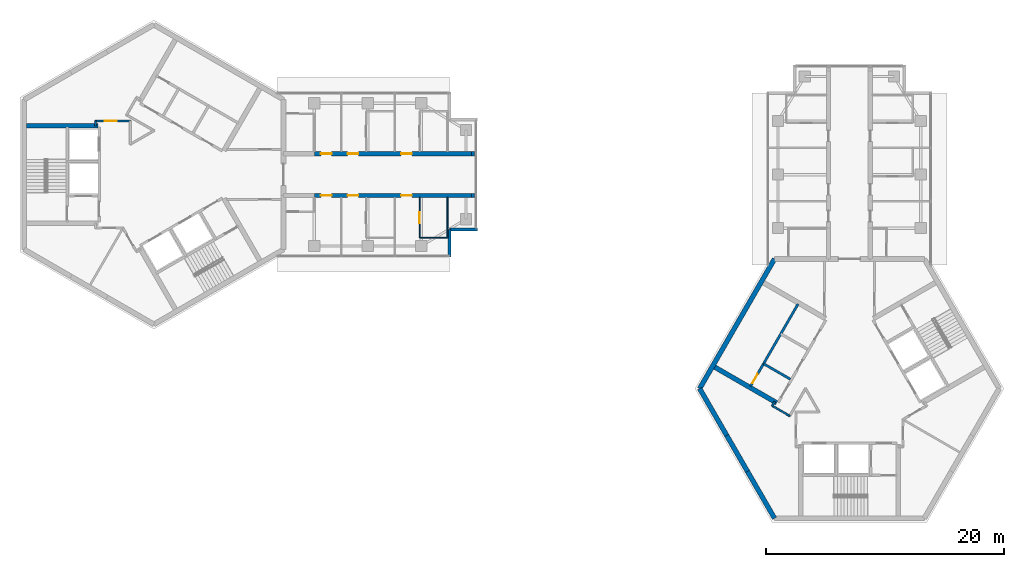
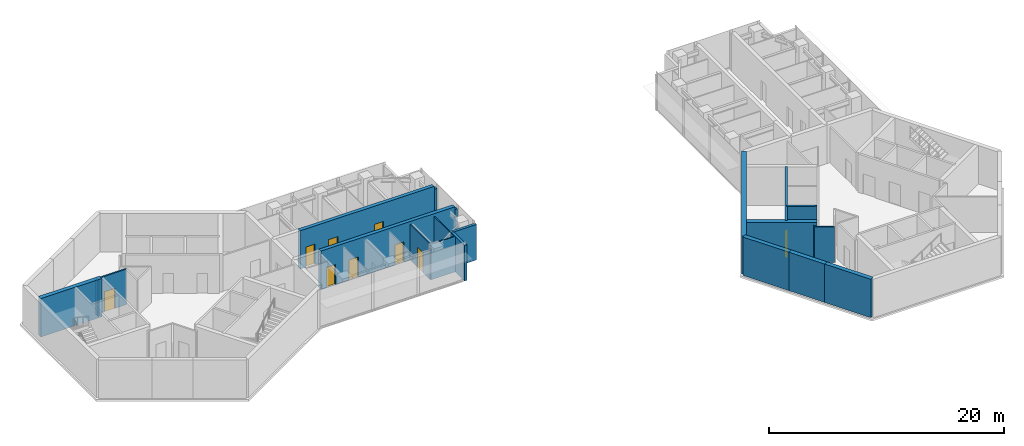
# One storey, part 6 of 11: 21 walls, 9 doors, 9 openings.
"""IFC4 building model written with IfcOpenShell, lengths in metres."""

import ifcopenshell
import ifcopenshell.guid

model = None  # the IFC model being written
_history = None  # IfcOwnerHistory: only IFC2X3 demands one
_inside = {}  # id of a spatial element -> (the spatial element, [elements in it])
_under = {}  # id of a project, library or spatial element -> (it, [spatial elements below it])
_declared = {}  # id of a project -> (the project, [libraries it declares])
_typed = {}  # id of a type object -> (the type object, [elements of that type])
_made_of = {}  # id of a material, layer set ... -> (it, [elements and type objects made of it])


def new_model(schema):
    """Start an empty IFC model of exactly this schema.

    Asked for "IFC4X3", IfcOpenShell would pick the latest addendum, in which some entities
    have other attributes; the version numbers below select the first issue.
    IFC2X3 requires an IfcOwnerHistory on every rooted entity: one is made here for all.
    """
    global model, _history
    if schema == "IFC4X3":
        model = ifcopenshell.file(schema_version=(4, 3, 0, 0))
    else:
        model = ifcopenshell.file(schema=schema)
    _inside.clear()
    _under.clear()
    _declared.clear()
    _typed.clear()
    _made_of.clear()
    _history = None
    if model.schema == "IFC2X3":
        org = make("IfcOrganization", Name="unknown")
        user = make(
            "IfcPersonAndOrganization",
            ThePerson=make("IfcPerson", FamilyName="unknown"),
            TheOrganization=org,
        )
        app = make(
            "IfcApplication",
            ApplicationDeveloper=org,
            Version="unknown",
            ApplicationFullName="unknown",
            ApplicationIdentifier="unknown",
        )
        _history = make(
            "IfcOwnerHistory",
            OwningUser=user,
            OwningApplication=app,
            ChangeAction="ADDED",
            CreationDate=0,
        )
    return model


def make(cls, **values):
    """One entity of the class cls with the attributes given. An attribute that is None is left unset."""
    return model.create_entity(
        cls, **{name: value for name, value in values.items() if value is not None}
    )


def rooted(cls, **values):
    """An entity with a GlobalId (a new one), such as an element, a storey or a relation."""
    return make(cls, GlobalId=ifcopenshell.guid.new(), OwnerHistory=_history, **values)


def si_unit(unit_type, name, prefix=None):
    """IfcSIUnit, for example si_unit("LENGTHUNIT", "METRE", prefix="MILLI")."""
    return make("IfcSIUnit", UnitType=unit_type, Prefix=prefix, Name=name)


def assignment(units):
    """IfcUnitAssignment: the units of a project."""
    return None if units is None else make("IfcUnitAssignment", Units=units)


def point(xyz):
    """IfcCartesianPoint."""
    return None if xyz is None else make("IfcCartesianPoint", Coordinates=xyz)


def direction(xyz):
    """IfcDirection."""
    return None if xyz is None else make("IfcDirection", DirectionRatios=xyz)


def frame(location, z_axis=None, x_axis=None):
    """IfcAxis2Placement3D, a coordinate frame: its origin and axes. An axis left out is left unset."""
    return make(
        "IfcAxis2Placement3D",
        Location=point(location),
        Axis=direction(z_axis),
        RefDirection=direction(x_axis),
    )


def frame_2d(location, x_axis=None):
    """IfcAxis2Placement2D, a coordinate frame in the plane: its origin and x axis."""
    return make(
        "IfcAxis2Placement2D", Location=point(location), RefDirection=direction(x_axis)
    )


def origin():
    """The frame at (0, 0, 0) with its axes left unset."""
    return frame((0.0, 0.0, 0.0))


def place(relative_to, where):
    """IfcLocalPlacement: puts the frame where relative to a parent placement (None: the world)."""
    return make(
        "IfcLocalPlacement", PlacementRelTo=relative_to, RelativePlacement=where
    )


def context(
    kind, dimensions, precision=None, world=None, true_north=None, identifier=None
):
    """IfcGeometricRepresentationContext, for example the 3D "Model" context."""
    return make(
        "IfcGeometricRepresentationContext",
        ContextIdentifier=identifier,
        ContextType=kind,
        CoordinateSpaceDimension=dimensions,
        Precision=precision,
        WorldCoordinateSystem=world,
        TrueNorth=true_north,
    )


def subcontext(parent, identifier, kind, view, scale=None):
    """IfcGeometricRepresentationSubContext, for example "Body" below "Model"."""
    return make(
        "IfcGeometricRepresentationSubContext",
        ContextIdentifier=identifier,
        ContextType=kind,
        ParentContext=parent,
        TargetScale=scale,
        TargetView=view,
    )


def project(units=None, contexts=None):
    """IfcProject with its units and contexts."""
    return rooted(
        "IfcProject",
        Name="project",
        RepresentationContexts=contexts,
        UnitsInContext=assignment(units),
    )


def spatial(cls, under=None, at=None, **own):
    """A site, building, storey or space (cls), placed at a placement, below another one or the project."""
    s = rooted(cls, ObjectPlacement=at, **own)
    if under is not None:
        _under.setdefault(under.id(), (under, []))[1].append(s)
    return s


def profile(cls, at=None, kind="AREA", **sizes):
    """A parametric profile (cls). Its sizes go by their IFC names, for example OverallWidth=200.0."""
    return make(cls, ProfileType=kind, Position=at, **sizes)


def rectangle(**sizes):
    """IfcRectangleProfileDef."""
    return profile("IfcRectangleProfileDef", **sizes)


def extrude(swept, where, along, depth):
    """IfcExtrudedAreaSolid: the profile swept, set in the frame where, extruded along a direction by depth."""
    return make(
        "IfcExtrudedAreaSolid",
        SweptArea=swept,
        Position=where,
        ExtrudedDirection=direction(along),
        Depth=depth,
    )


def shape(context_of_items, identifier, shape_type, items):
    """IfcShapeRepresentation: the items that make up one representation, for example the "Body"."""
    return make(
        "IfcShapeRepresentation",
        ContextOfItems=context_of_items,
        RepresentationIdentifier=identifier,
        RepresentationType=shape_type,
        Items=items,
    )


def material(Name=None, Category=None):
    """IfcMaterial."""
    return make("IfcMaterial", Name=Name, Category=Category)


def layer(
    of_material, thickness, ventilated=None, Name=None, Category=None, Priority=None
):
    """IfcMaterialLayer: one layer of a wall or slab, of a material (None: an air gap)."""
    return make(
        "IfcMaterialLayer",
        Material=of_material,
        LayerThickness=thickness,
        IsVentilated=ventilated,
        Name=Name,
        Category=Category,
        Priority=Priority,
    )


def layer_set(layers, Name=None):
    """IfcMaterialLayerSet."""
    return make("IfcMaterialLayerSet", MaterialLayers=layers, LayerSetName=Name)


def made_of(thing, what):
    """Note that an element or type object is made of a material, layer set ...; save() writes the relation."""
    if what is not None:
        _made_of.setdefault(what.id(), (what, []))[1].append(thing)
    return thing


def type_object(cls, material=None, **own):
    """A type object (cls), such as IfcWallType, which elements share."""
    return made_of(rooted(cls, **own), material)


def element(
    cls,
    number,
    at=None,
    inside=None,
    cuts=None,
    type_object=None,
    material=None,
    context=None,
    identifier="Body",
    shape_type=None,
    held_by="IfcProductDefinitionShape",
    body=None,
    shapes=None,
    **own,
):
    """One element of the class cls, such as IfcWall. Its Tag is "e" and its number.

    at: its placement. inside: the storey or other place that contains it. cuts: it is an
    opening in that element (IfcRelVoidsElement). A single representation is given by context,
    identifier, shape_type and body (its items); several are given by shapes. held_by: the class
    of the entity that holds the representations. save() writes the other relations.
    """
    e = rooted(cls, Tag="e%d" % number, ObjectPlacement=at, **own)
    if body is not None:
        shapes = [shape(context, identifier, shape_type, body)]
    if shapes is not None:
        e.Representation = make(held_by, Representations=shapes)
    if inside is not None:
        _inside.setdefault(inside.id(), (inside, []))[1].append(e)
    if cuts is not None:
        rooted(
            "IfcRelVoidsElement", RelatingBuildingElement=cuts, RelatedOpeningElement=e
        )
    if type_object is not None:
        _typed.setdefault(type_object.id(), (type_object, []))[1].append(e)
    return made_of(e, material)


def fill(opening, filler):
    """IfcRelFillsElement: the door or window that sits in an opening."""
    return rooted(
        "IfcRelFillsElement",
        RelatingOpeningElement=opening,
        RelatedBuildingElement=filler,
    )


def aggregate(whole, parts):
    """IfcRelAggregates: a whole, such as a stair, and the parts it consists of."""
    return rooted("IfcRelAggregates", RelatingObject=whole, RelatedObjects=parts)


def save(model, path):
    """Write the relations noted so far, then the file.

    IfcRelAggregates (storeys below a building ...), IfcRelContainedInSpatialStructure (elements
    in a storey), IfcRelDefinesByType, IfcRelAssociatesMaterial and IfcRelDeclares: one each for
    every whole, place, type object, material and project.
    """
    for whole, parts in _under.values():
        aggregate(whole, parts)
    for where, things in _inside.values():
        rooted(
            "IfcRelContainedInSpatialStructure",
            RelatedElements=things,
            RelatingStructure=where,
        )
    for kind, things in _typed.values():
        rooted("IfcRelDefinesByType", RelatedObjects=things, RelatingType=kind)
    for what, things in _made_of.values():
        rooted("IfcRelAssociatesMaterial", RelatedObjects=things, RelatingMaterial=what)
    for by, libraries in _declared.values():
        rooted("IfcRelDeclares", RelatingContext=by, RelatedDefinitions=libraries)
    model.write(path)


model = new_model("IFC4")

# Units and contexts
model_context = context("Model", 3, precision=1e-05, world=origin(), true_north=direction((0.0, 1.0)))
body_context = subcontext(model_context, "Body", "Model", "MODEL_VIEW")
ifc_project = project(units=[si_unit("LENGTHUNIT", "METRE"), si_unit("AREAUNIT", "SQUARE_METRE"), si_unit("VOLUMEUNIT", "CUBIC_METRE"), si_unit("PLANEANGLEUNIT", "RADIAN"), si_unit("MASSUNIT", "GRAM", prefix="KILO")], contexts=[model_context])

# Site, building, storey
site_placement = place(None, origin())
site = spatial("IfcSite", under=ifc_project, at=site_placement, CompositionType="ELEMENT")
building_placement = place(site_placement, origin())
building = spatial("IfcBuilding", under=site, at=building_placement, Name="Upepo Twin Towers", CompositionType="ELEMENT")
storey_placement = place(building_placement, frame((0.0, 0.0, 287.5)))
storey = spatial("IfcBuildingStorey", under=building, at=storey_placement, Name="L70", CompositionType="ELEMENT", Elevation=287.5)

# Walls
ifc_material_1 = material(Name="Dense concrete blockwork", Category="masonry")
ifc_layer_1 = layer(ifc_material_1, 0.35009765625)
ifc_layer_set_1 = layer_set([ifc_layer_1], Name="Buttress closer 350, blockwork with fire-stopping to the curtain wall")
wall_type_1 = type_object("IfcWallType", Name="Buttress closer 350, blockwork with fire-stopping to the curtain wall", PredefinedType="PARTITIONING", material=ifc_layer_set_1)
for number, where, z_axis, x_axis, name in (
    (1, (26.699951171875, 1.75, 0.0), (0.0, 0.0, 1.0), (1.0, 0.0, 0.0), "T1 L70 wing A buttress closer L"),
    (2, (26.699951171875, -1.75, 0.0), (0.0, 0.0, 1.0), (1.0, 0.0, 0.0), "T1 L70 wing A buttress closer R"),
):
    element("IfcWall", number, at=place(storey_placement, frame(where, z_axis=z_axis, x_axis=x_axis)), inside=storey, type_object=wall_type_1, Name=name, PredefinedType="PARTITIONING", context=body_context, shape_type="SweptSolid", body=[
        extrude(rectangle(XDim=0.275146484375, YDim=0.35009765625, at=frame_2d((0.1376953125, 0.0))), origin(), (0.0, 0.0, 1.0), 3.699951171875),
    ])

# Wall, openings, doors
ifc_material_2 = material(Name="Concrete C60/75", Category="concrete")
ifc_layer_2 = layer(ifc_material_2, 0.35009765625)
ifc_layer_set_2 = layer_set([ifc_layer_2], Name="Concrete C60/75")
wall_type_2 = type_object("IfcWallType", Name="Buttress wall 350 RC", PredefinedType="SHEAR", material=ifc_layer_set_2)
wall_1_placement = place(storey_placement, frame((13.5, 1.75, 0.0), z_axis=(0.0, 0.0, 1.0), x_axis=(1.0, 0.0, 0.0)))
wall_1 = element("IfcWall", 3, at=wall_1_placement, inside=storey, type_object=wall_type_2, Name="T1 wing A buttress wall L part 2", PredefinedType="SHEAR", context=body_context, shape_type="SweptSolid", body=[
    extrude(rectangle(XDim=13.199951171875, YDim=0.35009765625, at=frame_2d((6.60009765625, 0.0))), origin(), (0.0, 0.0, 1.0), 4.0),
])
opening_1_placement = place(wall_1_placement, frame((0.550048828125, 0.0, 0.0)))
opening_1 = element("IfcOpeningElement", 4, at=opening_1_placement, cuts=wall_1, Name="Opening D11", PredefinedType="OPENING", context=body_context, shape_type="SweptSolid", body=[
    extrude(rectangle(XDim=0.89990234375, YDim=2.10009765625, at=frame_2d((0.449951171875, 1.050048828125))), frame((0.0, 0.18505859375, 0.0), z_axis=(0.0, -1.0, 0.0), x_axis=(1.0, 0.0, 0.0)), (0.0, 0.0, 1.0), 0.3701171875),
])
opening_2_placement = place(wall_1_placement, frame((2.800048828125, 0.0, 0.0)))
opening_2 = element("IfcOpeningElement", 5, at=opening_2_placement, cuts=wall_1, Name="Opening D14", PredefinedType="OPENING", context=body_context, shape_type="SweptSolid", body=[
    extrude(rectangle(XDim=0.89990234375, YDim=2.10009765625, at=frame_2d((0.449951171875, 1.050048828125))), frame((0.0, 0.18505859375, 0.0), z_axis=(0.0, -1.0, 0.0), x_axis=(1.0, 0.0, 0.0)), (0.0, 0.0, 1.0), 0.3701171875),
])
opening_3_placement = place(wall_1_placement, frame((7.300048828125, 0.0, 0.0)))
opening_3 = element("IfcOpeningElement", 6, at=opening_3_placement, cuts=wall_1, Name="Opening D14", PredefinedType="OPENING", context=body_context, shape_type="SweptSolid", body=[
    extrude(rectangle(XDim=0.89990234375, YDim=2.10009765625, at=frame_2d((0.449951171875, 1.050048828125))), frame((0.0, 0.18505859375, 0.0), z_axis=(0.0, -1.0, 0.0), x_axis=(1.0, 0.0, 0.0)), (0.0, 0.0, 1.0), 0.3701171875),
])
ifc_material_3 = material(Name="Timber doorset", Category="wood")
door_type_1 = type_object("IfcDoorType", Name="Office door 900 FD30", OperationType="SINGLE_SWING_LEFT", PredefinedType="DOOR", material=ifc_material_3)
door_1_placement = place(opening_2_placement, origin())
door_1 = element("IfcDoor", 7, at=door_1_placement, inside=storey, type_object=door_type_1, Name="T1 L70 staff office door", OperationType="SINGLE_SWING_LEFT", OverallHeight=2.10009765625, OverallWidth=0.89990234375, PredefinedType="DOOR", context=body_context, shape_type="SweptSolid", body=[
    extrude(rectangle(XDim=0.89990234375, YDim=2.10009765625, at=frame_2d((0.449951171875, 1.050048828125))), frame((0.0, 0.02490234375, 0.0), z_axis=(0.0, -1.0, 0.0), x_axis=(1.0, 0.0, 0.0)), (0.0, 0.0, 1.0), 0.050048828125),
])
fill(opening_2, door_1)
door_2_placement = place(opening_3_placement, origin())
door_2 = element("IfcDoor", 8, at=door_2_placement, inside=storey, type_object=door_type_1, Name="T1 L70 postgraduate office door", OperationType="SINGLE_SWING_RIGHT", OverallHeight=2.10009765625, OverallWidth=0.89990234375, PredefinedType="DOOR", context=body_context, shape_type="SweptSolid", body=[
    extrude(rectangle(XDim=0.89990234375, YDim=2.10009765625, at=frame_2d((0.449951171875, 1.050048828125))), frame((0.0, 0.02490234375, 0.0), z_axis=(0.0, -1.0, 0.0), x_axis=(1.0, 0.0, 0.0)), (0.0, 0.0, 1.0), 0.050048828125),
])
fill(opening_3, door_2)
ifc_material_4 = material(Name="Timber doorset", Category="wood")
door_type_2 = type_object("IfcDoorType", Name="Toilet door 900", OperationType="SINGLE_SWING_LEFT", PredefinedType="DOOR", material=ifc_material_4)
door_3_placement = place(opening_1_placement, origin())
door_3 = element("IfcDoor", 9, at=door_3_placement, inside=storey, type_object=door_type_2, Name="T1 L70 accessible wc door", OperationType="SINGLE_SWING_LEFT", OverallHeight=2.10009765625, OverallWidth=0.89990234375, PredefinedType="DOOR", context=body_context, shape_type="SweptSolid", body=[
    extrude(rectangle(XDim=0.89990234375, YDim=2.10009765625, at=frame_2d((0.449951171875, 1.050048828125))), frame((0.0, 0.02490234375, 0.0), z_axis=(0.0, -1.0, 0.0), x_axis=(1.0, 0.0, 0.0)), (0.0, 0.0, 1.0), 0.050048828125),
])
fill(opening_1, door_3)

wall_2_placement = place(storey_placement, frame((13.5, -1.75, 0.0), z_axis=(0.0, 0.0, 1.0), x_axis=(1.0, 0.0, 0.0)))
wall_2 = element("IfcWall", 10, at=wall_2_placement, inside=storey, type_object=wall_type_2, Name="T1 wing A buttress wall R part 2", PredefinedType="SHEAR", context=body_context, shape_type="SweptSolid", body=[
    extrude(rectangle(XDim=13.199951171875, YDim=0.35009765625, at=frame_2d((6.60009765625, 0.0))), origin(), (0.0, 0.0, 1.0), 4.0),
])
opening_4_placement = place(wall_2_placement, frame((0.550048828125, 0.0, 0.0)))
opening_4 = element("IfcOpeningElement", 11, at=opening_4_placement, cuts=wall_2, Name="Opening D11", PredefinedType="OPENING", context=body_context, shape_type="SweptSolid", body=[
    extrude(rectangle(XDim=0.89990234375, YDim=2.10009765625, at=frame_2d((0.449951171875, 1.050048828125))), frame((0.0, 0.18505859375, 0.0), z_axis=(0.0, -1.0, 0.0), x_axis=(1.0, 0.0, 0.0)), (0.0, 0.0, 1.0), 0.3701171875),
])
opening_5_placement = place(wall_2_placement, frame((2.800048828125, 0.0, 0.0)))
opening_5 = element("IfcOpeningElement", 12, at=opening_5_placement, cuts=wall_2, Name="Opening D14", PredefinedType="OPENING", context=body_context, shape_type="SweptSolid", body=[
    extrude(rectangle(XDim=0.89990234375, YDim=2.10009765625, at=frame_2d((0.449951171875, 1.050048828125))), frame((0.0, 0.18505859375, 0.0), z_axis=(0.0, -1.0, 0.0), x_axis=(1.0, 0.0, 0.0)), (0.0, 0.0, 1.0), 0.3701171875),
])
opening_6_placement = place(wall_2_placement, frame((7.300048828125, 0.0, 0.0)))
opening_6 = element("IfcOpeningElement", 13, at=opening_6_placement, cuts=wall_2, Name="Opening D14", PredefinedType="OPENING", context=body_context, shape_type="SweptSolid", body=[
    extrude(rectangle(XDim=0.89990234375, YDim=2.10009765625, at=frame_2d((0.449951171875, 1.050048828125))), frame((0.0, 0.18505859375, 0.0), z_axis=(0.0, -1.0, 0.0), x_axis=(1.0, 0.0, 0.0)), (0.0, 0.0, 1.0), 0.3701171875),
])
door_4_placement = place(opening_5_placement, origin())
door_4 = element("IfcDoor", 14, at=door_4_placement, inside=storey, type_object=door_type_1, Name="T1 L70 meeting room door", OperationType="SINGLE_SWING_LEFT", OverallHeight=2.10009765625, OverallWidth=0.89990234375, PredefinedType="DOOR", context=body_context, shape_type="SweptSolid", body=[
    extrude(rectangle(XDim=0.89990234375, YDim=2.10009765625, at=frame_2d((0.449951171875, 1.050048828125))), frame((0.0, 0.02490234375, 0.0), z_axis=(0.0, -1.0, 0.0), x_axis=(1.0, 0.0, 0.0)), (0.0, 0.0, 1.0), 0.050048828125),
])
fill(opening_5, door_4)
door_5_placement = place(opening_6_placement, origin())
door_5 = element("IfcDoor", 15, at=door_5_placement, inside=storey, type_object=door_type_1, Name="T1 L70 staff office door", OperationType="SINGLE_SWING_RIGHT", OverallHeight=2.10009765625, OverallWidth=0.89990234375, PredefinedType="DOOR", context=body_context, shape_type="SweptSolid", body=[
    extrude(rectangle(XDim=0.89990234375, YDim=2.10009765625, at=frame_2d((0.449951171875, 1.050048828125))), frame((0.0, 0.02490234375, 0.0), z_axis=(0.0, -1.0, 0.0), x_axis=(1.0, 0.0, 0.0)), (0.0, 0.0, 1.0), 0.050048828125),
])
fill(opening_6, door_5)
door_6_placement = place(opening_4_placement, origin())
door_6 = element("IfcDoor", 16, at=door_6_placement, inside=storey, type_object=door_type_2, Name="T1 L70 toilets door", OperationType="SINGLE_SWING_LEFT", OverallHeight=2.10009765625, OverallWidth=0.89990234375, PredefinedType="DOOR", context=body_context, shape_type="SweptSolid", body=[
    extrude(rectangle(XDim=0.89990234375, YDim=2.10009765625, at=frame_2d((0.449951171875, 1.050048828125))), frame((0.0, 0.02490234375, 0.0), z_axis=(0.0, -1.0, 0.0), x_axis=(1.0, 0.0, 0.0)), (0.0, 0.0, 1.0), 0.050048828125),
])
fill(opening_4, door_6)

# Walls
ifc_material_5 = material(Name="Concrete C60/75", Category="concrete")
ifc_layer_3 = layer(ifc_material_5, 0.39990234375)
ifc_layer_set_3 = layer_set([ifc_layer_3], Name="Concrete C60/75")
wall_type_3 = type_object("IfcWallType", Name="Core wall 400 RC", PredefinedType="SHEAR", material=ifc_layer_set_3)
wall_3_placement = place(storey_placement, frame((52.2021484375, -7.091552734375, 0.0), z_axis=(0.0, 0.0, 1.0), x_axis=(-0.500005998175, -0.866021940709, 0.0)))
element("IfcWall", 17, at=wall_3_placement, inside=storey, type_object=wall_type_3, Name="T2 core wall 060", PredefinedType="SHEAR", context=body_context, shape_type="SweptSolid", body=[
    extrude(rectangle(XDim=12.595947265625, YDim=0.39990234375, at=frame_2d((6.2978515625, 0.0))), origin(), (0.0, 0.0, 1.0), 4.0),
])
wall_4_placement = place(storey_placement, frame((45.904052734375, -18.0, 0.0), z_axis=(0.0, 0.0, 1.0), x_axis=(0.500024481964, -0.866011268655, 0.0)))
element("IfcWall", 18, at=wall_4_placement, inside=storey, type_object=wall_type_3, Name="T2 core wall 120 R", PredefinedType="SHEAR", context=body_context, shape_type="SweptSolid", body=[
    extrude(rectangle(XDim=4.548095703125, YDim=0.39990234375, at=frame_2d((2.27392578125, 0.0))), origin(), (0.0, 0.0, 1.0), 4.0),
])
wall_5_placement = place(storey_placement, frame((48.17822265625, -21.938720703125, 0.0), z_axis=(0.0, 0.0, 1.0), x_axis=(0.500010275428, -0.866019471182, 0.0)))
element("IfcWall", 19, at=wall_5_placement, inside=storey, type_object=wall_type_3, Name="T2 core wall 120", PredefinedType="SHEAR", context=body_context, shape_type="SweptSolid", body=[
    extrude(rectangle(XDim=3.5, YDim=0.39990234375, at=frame_2d((1.75, 0.0))), origin(), (0.0, 0.0, 1.0), 4.0),
])
wall_6_placement = place(storey_placement, frame((49.92822265625, -24.9697265625, 0.0), z_axis=(0.0, 0.0, 1.0), x_axis=(0.499984222037, -0.866034513004, 0.0)))
element("IfcWall", 20, at=wall_6_placement, inside=storey, type_object=wall_type_3, Name="T2 core wall 120 L", PredefinedType="SHEAR", context=body_context, shape_type="SweptSolid", body=[
    extrude(rectangle(XDim=4.548095703125, YDim=0.39990234375, at=frame_2d((2.27392578125, 0.0))), origin(), (0.0, 0.0, 1.0), 4.0),
])
ifc_material_6 = material(Name="Blockwork with anodised aluminium cladding", Category="masonry")
ifc_layer_4 = layer(ifc_material_6, 0.25)
ifc_layer_set_4 = layer_set([ifc_layer_4], Name="Notch cladding wall 250, pale metal")
wall_type_4 = type_object("IfcWallType", Name="Notch cladding wall 250, pale metal", PredefinedType="STANDARD", material=ifc_layer_set_4)
for number, where, z_axis, x_axis, name in (
    (21, (24.875, -6.949951171875, 0.0), (0.0, 0.0, 1.0), (0.0, 1.0, 0.0), "T1 L70 wing A notch wall R1"),
    (22, (24.875, -4.625, 0.0), (0.0, 0.0, 1.0), (1.0, 0.0, 0.0), "T1 L70 wing A notch wall R2"),
):
    element("IfcWall", number, at=place(storey_placement, frame(where, z_axis=z_axis, x_axis=x_axis)), inside=storey, type_object=wall_type_4, Name=name, PredefinedType="STANDARD", context=body_context, shape_type="SweptSolid", body=[
        extrude(rectangle(XDim=2.324951171875, YDim=0.25, at=frame_2d((1.16259765625, 0.0))), origin(), (0.0, 0.0, 1.0), 3.699951171875),
    ])
ifc_material_7 = material(Name="Gypsum board on steel studs", Category="steel")
ifc_layer_5 = layer(ifc_material_7, 0.10009765625)
ifc_layer_set_5 = layer_set([ifc_layer_5], Name="Office partition 100 stud")
wall_type_5 = type_object("IfcWallType", Name="Office partition 100 stud", PredefinedType="PARTITIONING", material=ifc_layer_set_5)
wall_7_placement = place(storey_placement, frame((22.35009765625, -5.324951171875, 0.0), z_axis=(0.0, 0.0, 1.0), x_axis=(1.0, 0.0, 0.0)))
element("IfcWall", 23, at=wall_7_placement, inside=storey, type_object=wall_type_5, Name="T1 inner room partition AR at 22.35", PredefinedType="PARTITIONING", context=body_context, shape_type="SweptSolid", body=[
    extrude(rectangle(XDim=2.39990234375, YDim=0.10009765625, at=frame_2d((1.199951171875, 0.0))), origin(), (0.0, 0.0, 1.0), 3.699951171875),
])

# Wall, opening, door
wall_8_placement = place(storey_placement, frame((22.35009765625, -1.925048828125, 0.0), z_axis=(0.0, 0.0, 1.0), x_axis=(0.0, -1.0, 0.0)))
wall_8 = element("IfcWall", 24, at=wall_8_placement, inside=storey, type_object=wall_type_5, Name="T1 inner room partition AR end at 22.35", PredefinedType="PARTITIONING", context=body_context, shape_type="SweptSolid", body=[
    extrude(rectangle(XDim=3.39990234375, YDim=0.10009765625, at=frame_2d((1.699951171875, 0.0))), origin(), (0.0, 0.0, 1.0), 3.699951171875),
])
opening_7_placement = place(wall_8_placement, frame((1.25, 0.0, 0.0)))
opening_7 = element("IfcOpeningElement", 25, at=opening_7_placement, cuts=wall_8, Name="Opening D14", PredefinedType="OPENING", context=body_context, shape_type="SweptSolid", body=[
    extrude(rectangle(XDim=0.89990234375, YDim=2.10009765625, at=frame_2d((0.449951171875, 1.050048828125))), frame((0.0, 0.06005859375, 0.0), z_axis=(0.0, -1.0, 0.0), x_axis=(1.0, 0.0, 0.0)), (0.0, 0.0, 1.0), 0.1201171875),
])
door_7_placement = place(opening_7_placement, origin())
door_7 = element("IfcDoor", 26, at=door_7_placement, inside=storey, type_object=door_type_1, Name="T1 L70 inner room door", OperationType="SINGLE_SWING_LEFT", OverallHeight=2.10009765625, OverallWidth=0.89990234375, PredefinedType="DOOR", context=body_context, shape_type="SweptSolid", body=[
    extrude(rectangle(XDim=0.89990234375, YDim=2.10009765625, at=frame_2d((0.449951171875, 1.050048828125))), frame((0.0, 0.02490234375, 0.0), z_axis=(0.0, -1.0, 0.0), x_axis=(1.0, 0.0, 0.0)), (0.0, 0.0, 1.0), 0.050048828125),
])
fill(opening_7, door_7)

# Walls
wall_9_placement = place(storey_placement, frame((24.699951171875, -1.925048828125, 0.0), z_axis=(0.0, 0.0, 1.0), x_axis=(0.0, -1.0, 0.0)))
element("IfcWall", 27, at=wall_9_placement, inside=storey, type_object=wall_type_5, Name="T1 inner room partition AR end at 24.75", PredefinedType="PARTITIONING", context=body_context, shape_type="SweptSolid", body=[
    extrude(rectangle(XDim=3.39990234375, YDim=0.10009765625, at=frame_2d((1.699951171875, 0.0))), origin(), (0.0, 0.0, 1.0), 3.699951171875),
])
ifc_material_8 = material(Name="Concrete C40/50", Category="concrete")
ifc_layer_6 = layer(ifc_material_8, 0.199951171875)
ifc_layer_set_6 = layer_set([ifc_layer_6], Name="Concrete C40/50")
wall_type_6 = type_object("IfcWallType", Name="Shaft wall 200 RC", PredefinedType="SHEAR", material=ifc_layer_set_6)
wall_10_placement = place(storey_placement, frame((53.52978515625, -17.208740234375, 0.0), z_axis=(0.0, 0.0, 1.0), x_axis=(-0.866062058628, 0.499936506574, 0.0)))
element("IfcWall", 28, at=wall_10_placement, inside=storey, type_object=wall_type_6, Name="T2 core W60 lobby wall", PredefinedType="SHEAR", context=body_context, shape_type="SweptSolid", body=[
    extrude(rectangle(XDim=2.599853515625, YDim=0.199951171875, at=frame_2d((1.2998046875, 0.0))), origin(), (0.0, 0.0, 1.0), 4.0),
])

# Wall, opening, door
wall_11_placement = place(storey_placement, frame((54.177978515625, -10.885986328125, 0.0), z_axis=(0.0, 0.0, 1.0), x_axis=(-0.49999894854, -0.866026010844, 0.0)))
wall_11 = element("IfcWall", 29, at=wall_11_placement, inside=storey, type_object=wall_type_6, Name="T2 core W60 stair wall", PredefinedType="SHEAR", context=body_context, shape_type="SweptSolid", body=[
    extrude(rectangle(XDim=8.0, YDim=0.199951171875, at=frame_2d((4.0, 0.0))), origin(), (0.0, 0.0, 1.0), 4.0),
])
opening_8_placement = place(wall_11_placement, frame((6.800048828125, 0.0, 0.0)))
opening_8 = element("IfcOpeningElement", 30, at=opening_8_placement, cuts=wall_11, Name="Opening D9", PredefinedType="OPENING", context=body_context, shape_type="SweptSolid", body=[
    extrude(rectangle(XDim=0.89990234375, YDim=2.10009765625, at=frame_2d((0.449951171875, 1.050048828125))), frame((0.0, 0.10986328125, 0.0), z_axis=(0.0, -1.0, 0.0), x_axis=(1.0, 0.0, 0.0)), (0.0, 0.0, 1.0), 0.219970703125),
])
ifc_material_9 = material(Name="Timber doorset", Category="wood")
door_type_3 = type_object("IfcDoorType", Name="Riser door 900 FD60", OperationType="SINGLE_SWING_LEFT", PredefinedType="DOOR", material=ifc_material_9)
door_8_placement = place(opening_8_placement, origin())
door_8 = element("IfcDoor", 31, at=door_8_placement, inside=storey, type_object=door_type_3, Name="T2 L70 riser door", OperationType="SINGLE_SWING_RIGHT", OverallHeight=2.10009765625, OverallWidth=0.89990234375, PredefinedType="DOOR", context=body_context, shape_type="SweptSolid", body=[
    extrude(rectangle(XDim=0.89990234375, YDim=2.10009765625, at=frame_2d((0.449951171875, 1.050048828125))), frame((0.0, 0.02490234375, 0.0), z_axis=(0.0, -1.0, 0.0), x_axis=(1.0, 0.0, 0.0)), (0.0, 0.0, 1.0), 0.050048828125),
])
fill(opening_8, door_8)

# Walls
ifc_material_10 = material(Name="Concrete C40/50", Category="concrete")
ifc_layer_7 = layer(ifc_material_10, 0.39990234375)
ifc_layer_set_7 = layer_set([ifc_layer_7], Name="Concrete C40/50")
wall_type_7 = type_object("IfcWallType", Name="Shaft wall 400 RC", PredefinedType="SHEAR", material=ifc_layer_set_7)
for number, where, z_axis, x_axis, name in (
    (32, (-4.699951171875, 4.10009765625, 0.0), (0.0, 0.0, 1.0), (-1.0, 0.0, 0.0), "T1 core W180 side wall S"),
    (33, (52.379638671875, -19.20068359375, 0.0), (0.0, 0.0, 1.0), (-0.866026570101, 0.499997979876, 0.0), "T2 core W60 side wall N"),
):
    element("IfcWall", number, at=place(storey_placement, frame(where, z_axis=z_axis, x_axis=x_axis)), inside=storey, type_object=wall_type_7, Name=name, PredefinedType="SHEAR", context=body_context, shape_type="SweptSolid", body=[
        extrude(rectangle(XDim=6.00830078125, YDim=0.39990234375, at=frame_2d((3.004150390625, 0.0))), origin(), (0.0, 0.0, 1.0), 4.0),
    ])
ifc_material_11 = material(Name="Gypsum board on steel studs", Category="steel")
ifc_layer_8 = layer(ifc_material_11, 0.14990234375)
ifc_layer_set_8 = layer_set([ifc_layer_8], Name="Teaching partition 150 acoustic")
wall_type_8 = type_object("IfcWallType", Name="Teaching partition 150 acoustic", PredefinedType="PARTITIONING", material=ifc_layer_set_8)
wall_12_placement = place(storey_placement, frame((-4.89990234375, 4.090087890625, 0.0), z_axis=(0.0, 0.0, 1.0), x_axis=(0.0, 1.0, 0.0)))
element("IfcWall", 34, at=wall_12_placement, inside=storey, type_object=wall_type_8, Name="T1 core room partition 4", PredefinedType="PARTITIONING", context=body_context, shape_type="SweptSolid", body=[
    extrude(rectangle(XDim=0.429931640625, YDim=0.14990234375, at=frame_2d((0.21484375, 0.0))), origin(), (0.0, 0.0, 1.0), 3.699951171875),
])

# Wall, opening, door
wall_13_placement = place(storey_placement, frame((-4.919921875, 4.5, 0.0), z_axis=(0.0, 0.0, 1.0), x_axis=(1.0, 0.0, 0.0)))
wall_13 = element("IfcWall", 35, at=wall_13_placement, inside=storey, type_object=wall_type_8, Name="T1 core room partition 5", PredefinedType="PARTITIONING", context=body_context, shape_type="SweptSolid", body=[
    extrude(rectangle(XDim=2.96484375, YDim=0.14990234375, at=frame_2d((1.482421875, 0.0))), origin(), (0.0, 0.0, 1.0), 3.699951171875),
])
opening_9_placement = place(wall_13_placement, frame((0.800048828125, 0.0, 0.0)))
opening_9 = element("IfcOpeningElement", 36, at=opening_9_placement, cuts=wall_13, Name="Opening D1", PredefinedType="OPENING", context=body_context, shape_type="SweptSolid", body=[
    extrude(rectangle(XDim=1.0, YDim=2.10009765625, at=frame_2d((0.5, 1.050048828125))), frame((0.0, 0.0849609375, 0.0), z_axis=(0.0, -1.0, 0.0), x_axis=(1.0, 0.0, 0.0)), (0.0, 0.0, 1.0), 0.169921875),
])
ifc_material_12 = material(Name="Timber doorset", Category="wood")
door_type_4 = type_object("IfcDoorType", Name="Room door 1000 FD30", OperationType="SINGLE_SWING_LEFT", PredefinedType="DOOR", material=ifc_material_12)
door_9_placement = place(opening_9_placement, origin())
door_9 = element("IfcDoor", 37, at=door_9_placement, inside=storey, type_object=door_type_4, Name="T1 L70 core room door K5", OperationType="SINGLE_SWING_LEFT", OverallHeight=2.10009765625, OverallWidth=1.0, PredefinedType="DOOR", context=body_context, shape_type="SweptSolid", body=[
    extrude(rectangle(XDim=1.0, YDim=2.10009765625, at=frame_2d((0.5, 1.050048828125))), frame((0.0, 0.02490234375, 0.0), z_axis=(0.0, -1.0, 0.0), x_axis=(1.0, 0.0, 0.0)), (0.0, 0.0, 1.0), 0.050048828125),
])
fill(opening_9, door_9)

# Walls
wall_14_placement = place(storey_placement, frame((53.49609375, -20.30712890625, 0.0), z_axis=(0.0, 0.0, 1.0), x_axis=(-0.865989304205, 0.500062521093, 0.0)))
element("IfcWall", 38, at=wall_14_placement, inside=storey, type_object=wall_type_8, Name="T2 core room partition 7", PredefinedType="PARTITIONING", context=body_context, shape_type="SweptSolid", body=[
    extrude(rectangle(XDim=1.739990234375, YDim=0.14990234375, at=frame_2d((0.8701171875, 0.0))), origin(), (0.0, 0.0, 1.0), 3.699951171875),
])
wall_15_placement = place(storey_placement, frame((51.99658203125, -19.46435546875, 0.0), z_axis=(0.0, 0.0, 1.0), x_axis=(0.499804398801, 0.866138304741, 0.0)))
element("IfcWall", 39, at=wall_15_placement, inside=storey, type_object=wall_type_8, Name="T2 core room partition 8", PredefinedType="PARTITIONING", context=body_context, shape_type="SweptSolid", body=[
    extrude(rectangle(XDim=0.429931640625, YDim=0.14990234375, at=frame_2d((0.21484375, 0.0))), origin(), (0.0, 0.0, 1.0), 3.699951171875),
])

save(model, "model.ifc")
